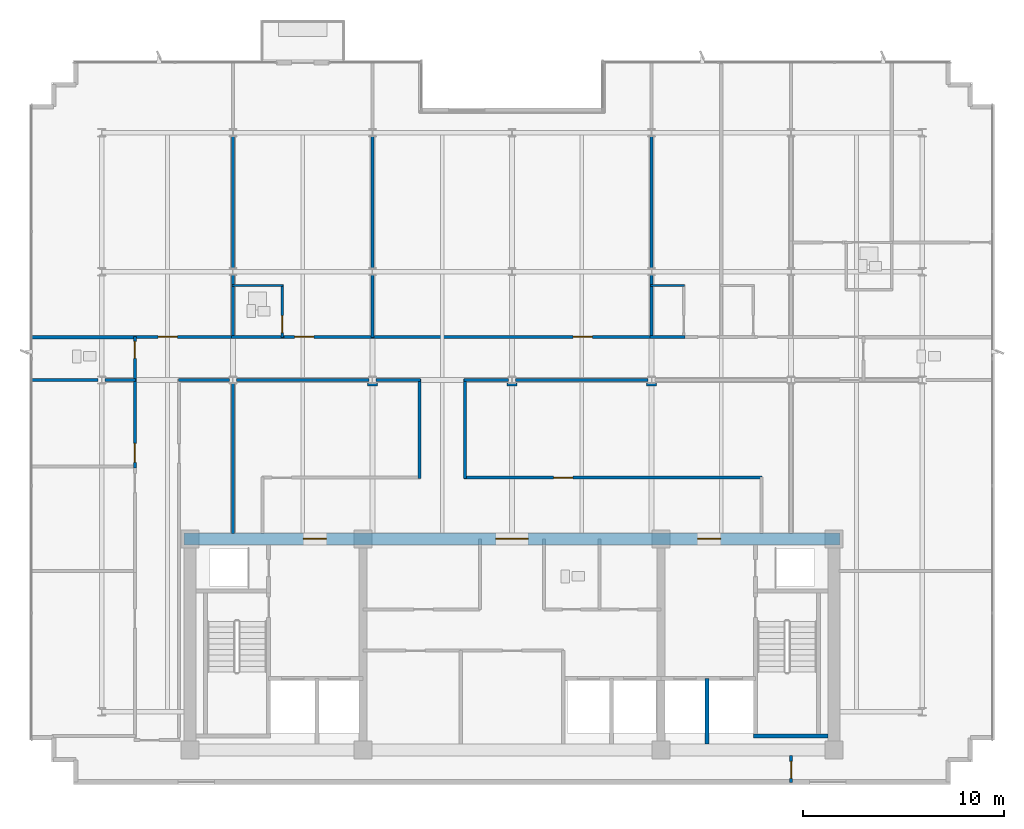
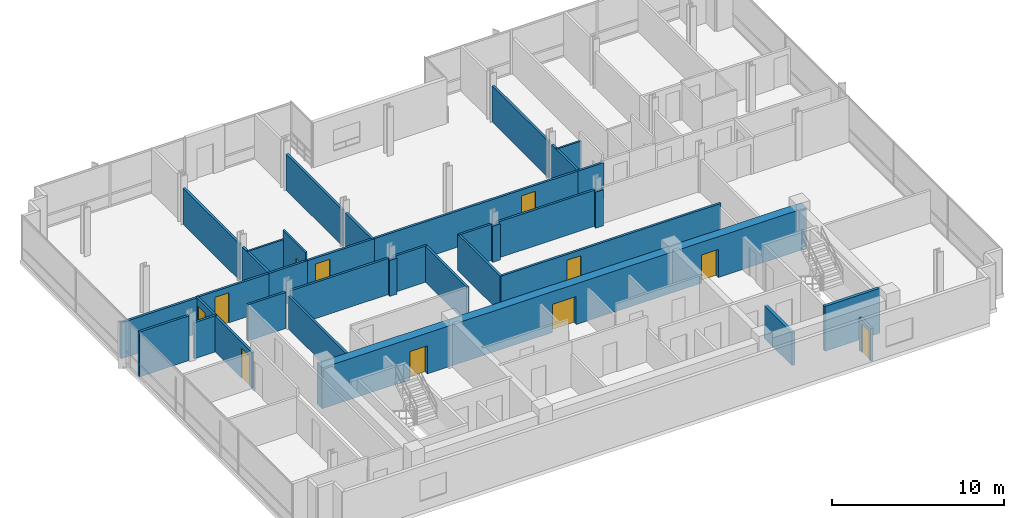
# One storey, part 12 of 17: 35 walls, 11 doors, 11 openings.
"""IFC4 building model written with IfcOpenShell, lengths in metres."""

from ifc_helpers import new_model, si_unit, direction, frame, frame_2d, origin, place, context, subcontext, project, spatial, rectangle, extrude, material, layer, layer_set, type_object, element, fill, save


model = new_model("IFC4")

# Units and contexts
model_context = context("Model", 3, precision=1e-05, world=origin(), true_north=direction((0.0, 1.0)))
body_context = subcontext(model_context, "Body", "Model", "MODEL_VIEW")
ifc_project = project(units=[si_unit("LENGTHUNIT", "METRE"), si_unit("AREAUNIT", "SQUARE_METRE"), si_unit("VOLUMEUNIT", "CUBIC_METRE"), si_unit("PLANEANGLEUNIT", "RADIAN"), si_unit("MASSUNIT", "GRAM", prefix="KILO")], contexts=[model_context])

# Site, building, storey
site_placement = place(None, origin())
site = spatial("IfcSite", under=ifc_project, at=site_placement, CompositionType="ELEMENT")
building_placement = place(site_placement, origin())
building = spatial("IfcBuilding", under=site, at=building_placement, Name="Solmavex Isthmus Hotel", CompositionType="ELEMENT")
storey_placement = place(building_placement, frame((0.0, 0.0, 269.550048828125)))
storey = spatial("IfcBuildingStorey", under=building, at=storey_placement, Name="L73", CompositionType="ELEMENT", Elevation=269.550048828125)

# Walls
ifc_material_1 = material(Name="Gypsum plasterboard lining", Category="gypsum")
ifc_layer_1 = layer(ifc_material_1, 0.159912109375)
ifc_layer_set_1 = layer_set([ifc_layer_1], Name="Gypsum plasterboard lining")
wall_type_1 = type_object("IfcWallType", Name="IW-COMP-160", PredefinedType="PARTITIONING", material=ifc_layer_set_1)
wall_1_placement = place(storey_placement, frame((-13.8720703125, 10.613037109375, 0.0), z_axis=(0.0, 0.0, 1.0), x_axis=(0.0, -1.0, 0.0)))
element("IfcWall", 1, at=wall_1_placement, inside=storey, type_object=wall_type_1, Name="Interior Partition Wall W-L73-P033", PredefinedType="PARTITIONING", context=body_context, shape_type="SweptSolid", body=[
    extrude(rectangle(XDim=3.10302734375, YDim=0.159912109375, at=frame_2d((1.551513671875, 0.0))), origin(), (0.0, 0.0, 1.0), 2.572265625),
])
wall_2_placement = place(storey_placement, frame((-13.8720703125, 17.52490234375, 0.0), z_axis=(0.0, 0.0, 1.0), x_axis=(0.0, -1.0, 0.0)))
element("IfcWall", 2, at=wall_2_placement, inside=storey, type_object=wall_type_1, Name="Interior Partition Wall W-L73-P034", PredefinedType="PARTITIONING", context=body_context, shape_type="SweptSolid", body=[
    extrude(rectangle(XDim=6.56201171875, YDim=0.159912109375, at=frame_2d((3.281005859375, 0.0))), origin(), (0.0, 0.0, 1.0), 2.572265625),
])
wall_3_placement = place(storey_placement, frame((-18.7099609375, 7.530029296875, 0.0), z_axis=(0.0, 0.0, 1.0), x_axis=(-1.0, 0.0, 0.0)))
element("IfcWall", 3, at=wall_3_placement, inside=storey, type_object=wall_type_1, Name="Interior Partition Wall W-L73-P036", PredefinedType="PARTITIONING", context=body_context, shape_type="SweptSolid", body=[
    extrude(rectangle(XDim=5.2099609375, YDim=0.159912109375, at=frame_2d((2.60498046875, 0.0))), origin(), (0.0, 0.0, 1.0), 2.557373046875),
])
wall_4_placement = place(storey_placement, frame((-6.93603515625, 10.613037109375, 0.0), z_axis=(0.0, 0.0, 1.0), x_axis=(0.0, -1.0, 0.0)))
element("IfcWall", 4, at=wall_4_placement, inside=storey, type_object=wall_type_1, Name="Interior Partition Wall W-L73-P039", PredefinedType="PARTITIONING", context=body_context, shape_type="SweptSolid", body=[
    extrude(rectangle(XDim=3.10302734375, YDim=0.159912109375, at=frame_2d((1.551513671875, 0.0))), origin(), (0.0, 0.0, 1.0), 2.572265625),
])
wall_5_placement = place(storey_placement, frame((-6.93603515625, 17.52490234375, 0.0), z_axis=(0.0, 0.0, 1.0), x_axis=(0.0, -1.0, 0.0)))
element("IfcWall", 5, at=wall_5_placement, inside=storey, type_object=wall_type_1, Name="Interior Partition Wall W-L73-P040", PredefinedType="PARTITIONING", context=body_context, shape_type="SweptSolid", body=[
    extrude(rectangle(XDim=6.56201171875, YDim=0.159912109375, at=frame_2d((3.281005859375, 0.0))), origin(), (0.0, 0.0, 1.0), 2.572265625),
])
wall_6_placement = place(storey_placement, frame((6.93603515625, 10.613037109375, 0.0), z_axis=(0.0, 0.0, 1.0), x_axis=(0.0, -1.0, 0.0)))
element("IfcWall", 6, at=wall_6_placement, inside=storey, type_object=wall_type_1, Name="Interior Partition Wall W-L73-P042", PredefinedType="PARTITIONING", context=body_context, shape_type="SweptSolid", body=[
    extrude(rectangle(XDim=3.10302734375, YDim=0.159912109375, at=frame_2d((1.551513671875, 0.0))), origin(), (0.0, 0.0, 1.0), 2.572265625),
])
wall_7_placement = place(storey_placement, frame((6.93603515625, 17.52490234375, 0.0), z_axis=(0.0, 0.0, 1.0), x_axis=(0.0, -1.0, 0.0)))
element("IfcWall", 7, at=wall_7_placement, inside=storey, type_object=wall_type_1, Name="Interior Partition Wall W-L73-P043", PredefinedType="PARTITIONING", context=body_context, shape_type="SweptSolid", body=[
    extrude(rectangle(XDim=6.56201171875, YDim=0.159912109375, at=frame_2d((3.281005859375, 0.0))), origin(), (0.0, 0.0, 1.0), 2.572265625),
])
wall_8_placement = place(storey_placement, frame((-20.574951171875, 5.39990234375, 0.0), z_axis=(0.0, 0.0, 1.0), x_axis=(-1.0, 0.0, 0.0)))
element("IfcWall", 8, at=wall_8_placement, inside=storey, type_object=wall_type_1, Name="Interior Partition Wall W-L73-P063", PredefinedType="PARTITIONING", context=body_context, shape_type="SweptSolid", body=[
    extrude(rectangle(XDim=3.344970703125, YDim=0.159912109375, at=frame_2d((1.67236328125, 0.0))), origin(), (0.0, 0.0, 1.0), 3.18994140625),
])
wall_9_placement = place(storey_placement, frame((-18.7099609375, 5.39990234375, 0.0), z_axis=(0.0, 0.0, 1.0), x_axis=(-1.0, 0.0, 0.0)))
element("IfcWall", 9, at=wall_9_placement, inside=storey, type_object=wall_type_1, Name="Interior Partition Wall W-L73-P064", PredefinedType="PARTITIONING", context=body_context, shape_type="SweptSolid", body=[
    extrude(rectangle(XDim=1.51513671875, YDim=0.159912109375, at=frame_2d((0.757568359375, 0.0))), origin(), (0.0, 0.0, 1.0), 2.572265625),
])
wall_10_placement = place(storey_placement, frame((-13.8720703125, 5.22509765625, 0.0), z_axis=(0.0, 0.0, 1.0), x_axis=(0.0, -1.0, 0.0)))
element("IfcWall", 10, at=wall_10_placement, inside=storey, type_object=wall_type_1, Name="Interior Partition Wall W-L73-P068", PredefinedType="PARTITIONING", context=body_context, shape_type="SweptSolid", body=[
    extrude(rectangle(XDim=7.465087890625, YDim=0.159912109375, at=frame_2d((3.732421875, 0.0))), origin(), (0.0, 0.0, 1.0), 2.324951171875),
])

# Wall, opening, door
wall_11_placement = place(storey_placement, frame((13.8720703125, -13.260009765625, 0.0), z_axis=(0.0, 0.0, 1.0), x_axis=(0.0, -1.0, 0.0)))
wall_11 = element("IfcWall", 11, at=wall_11_placement, inside=storey, type_object=wall_type_1, Name="Interior Partition Wall W-L73-P071", PredefinedType="PARTITIONING", context=body_context, shape_type="SweptSolid", body=[
    extrude(rectangle(XDim=1.360107421875, YDim=0.159912109375, at=frame_2d((0.68017578125, 0.0))), origin(), (0.0, 0.0, 1.0), 2.324951171875),
])
opening_1_placement = place(wall_11_placement, frame((0.300048828125, 0.0, 0.0)))
opening_1 = element("IfcOpeningElement", 12, at=opening_1_placement, cuts=wall_11, Name="Opening ID-R085", PredefinedType="OPENING", context=body_context, shape_type="SweptSolid", body=[
    extrude(rectangle(XDim=0.85009765625, YDim=2.050048828125, at=frame_2d((0.425048828125, 1.02490234375))), frame((0.0, 0.08984375, 0.0), z_axis=(0.0, -1.0, 0.0), x_axis=(1.0, 0.0, 0.0)), (0.0, 0.0, 1.0), 0.179931640625),
])
ifc_material_2 = material(Name="Steel ASTM A500 Grade C", Category="steel")
door_type_1 = type_object("IfcDoorType", Name="IDR-FD60-0850", OperationType="NOTDEFINED", PredefinedType="DOOR", material=ifc_material_2)
door_1_placement = place(opening_1_placement, frame((0.85009765625, 0.0, 0.0), z_axis=(0.0, 0.0, 1.0), x_axis=(-1.0, 0.0, 0.0)))
door_1 = element("IfcDoor", 13, at=door_1_placement, inside=storey, type_object=door_type_1, Name="Corporate Briefing Office Door L73-21", OperationType="SINGLE_SWING_LEFT", OverallHeight=2.050048828125, OverallWidth=0.85009765625, PredefinedType="DOOR", context=body_context, shape_type="SweptSolid", body=[
    extrude(rectangle(XDim=0.85009765625, YDim=2.050048828125, at=frame_2d((0.425048828125, 1.02490234375))), frame((0.0, 0.02490234375, 0.0), z_axis=(0.0, -1.0, 0.0), x_axis=(1.0, 0.0, 0.0)), (0.0, 0.0, 1.0), 0.050048828125),
])
fill(opening_1, door_1)

ifc_layer_2 = layer(ifc_material_1, 0.14990234375)
ifc_layer_set_2 = layer_set([ifc_layer_2], Name="Gypsum plasterboard lining")
wall_type_2 = type_object("IfcWallType", Name="IW-CORR-150", PredefinedType="PARTITIONING", material=ifc_layer_set_2)
wall_12_placement = place(storey_placement, frame((-18.7900390625, 7.550048828125, 0.0), z_axis=(0.0, 0.0, 1.0), x_axis=(1.0, 0.0, 0.0)))
wall_12 = element("IfcWall", 14, at=wall_12_placement, inside=storey, type_object=wall_type_2, Name="Interior Partition Wall W-L73-P001", PredefinedType="PARTITIONING", context=body_context, shape_type="SweptSolid", body=[
    extrude(rectangle(XDim=5.0, YDim=0.14990234375, at=frame_2d((2.5, 0.0))), origin(), (0.0, 0.0, 1.0), 2.572265625),
])
opening_2_placement = place(wall_12_placement, frame((1.198486328125, 0.0, 0.0)))
opening_2 = element("IfcOpeningElement", 15, at=opening_2_placement, cuts=wall_12, Name="Opening ID-C095", PredefinedType="OPENING", context=body_context, shape_type="SweptSolid", body=[
    extrude(rectangle(XDim=0.949951171875, YDim=2.14990234375, at=frame_2d((0.47509765625, 1.074951171875))), frame((0.0, 0.0849609375, 0.0), z_axis=(0.0, -1.0, 0.0), x_axis=(1.0, 0.0, 0.0)), (0.0, 0.0, 1.0), 0.169921875),
])
ifc_material_3 = material(Name="Hardwood timber", Category="wood")
door_type_2 = type_object("IfcDoorType", Name="IDR-FD60-0950", OperationType="NOTDEFINED", PredefinedType="DOOR", material=ifc_material_3)
door_2_placement = place(opening_2_placement, origin())
door_2 = element("IfcDoor", 16, at=door_2_placement, inside=storey, type_object=door_type_2, Name="Executive Hospitality Lounge Door L73-01", OperationType="SINGLE_SWING_LEFT", OverallHeight=2.14990234375, OverallWidth=0.949951171875, PredefinedType="DOOR", context=body_context, shape_type="SweptSolid", body=[
    extrude(rectangle(XDim=0.949951171875, YDim=2.14990234375, at=frame_2d((0.47509765625, 1.074951171875))), frame((0.0, 0.02490234375, 0.0), z_axis=(0.0, -1.0, 0.0), x_axis=(1.0, 0.0, 0.0)), (0.0, 0.0, 1.0), 0.050048828125),
])
fill(opening_2, door_2)

wall_13_placement = place(storey_placement, frame((-11.50390625, 7.550048828125, 0.0), z_axis=(0.0, 0.0, 1.0), x_axis=(1.0, 0.0, 0.0)))
wall_13 = element("IfcWall", 17, at=wall_13_placement, inside=storey, type_object=wall_type_2, Name="Interior Partition Wall W-L73-P002", PredefinedType="PARTITIONING", context=body_context, shape_type="SweptSolid", body=[
    extrude(rectangle(XDim=4.64990234375, YDim=0.14990234375, at=frame_2d((2.324951171875, 0.0))), origin(), (0.0, 0.0, 1.0), 2.572265625),
])
opening_3_placement = place(wall_13_placement, frame((0.698486328125, 0.0, 0.0)))
opening_3 = element("IfcOpeningElement", 18, at=opening_3_placement, cuts=wall_13, Name="Opening ID-C095", PredefinedType="OPENING", context=body_context, shape_type="SweptSolid", body=[
    extrude(rectangle(XDim=0.949951171875, YDim=2.14990234375, at=frame_2d((0.47509765625, 1.074951171875))), frame((0.0, 0.0849609375, 0.0), z_axis=(0.0, -1.0, 0.0), x_axis=(1.0, 0.0, 0.0)), (0.0, 0.0, 1.0), 0.169921875),
])
door_3_placement = place(opening_3_placement, origin())
door_3 = element("IfcDoor", 19, at=door_3_placement, inside=storey, type_object=door_type_2, Name="Crown Overlook Suite Door L73-02", OperationType="SINGLE_SWING_RIGHT", OverallHeight=2.14990234375, OverallWidth=0.949951171875, PredefinedType="DOOR", context=body_context, shape_type="SweptSolid", body=[
    extrude(rectangle(XDim=0.949951171875, YDim=2.14990234375, at=frame_2d((0.47509765625, 1.074951171875))), frame((0.0, 0.02490234375, 0.0), z_axis=(0.0, -1.0, 0.0), x_axis=(1.0, 0.0, 0.0)), (0.0, 0.0, 1.0), 0.050048828125),
])
fill(opening_3, door_3)

# Wall
wall_14_placement = place(storey_placement, frame((-13.9541015625, 7.550048828125, 0.0), z_axis=(0.0, 0.0, 1.0), x_axis=(1.0, 0.0, 0.0)))
element("IfcWall", 20, at=wall_14_placement, inside=storey, type_object=wall_type_2, Name="Interior Partition Wall W-L73-P003", PredefinedType="PARTITIONING", context=body_context, shape_type="SweptSolid", body=[
    extrude(rectangle(XDim=2.614013671875, YDim=0.14990234375, at=frame_2d((1.30712890625, 0.0))), origin(), (0.0, 0.0, 1.0), 2.572265625),
])

# Wall, opening, door
wall_15_placement = place(storey_placement, frame((-7.01806640625, 7.550048828125, 0.0), z_axis=(0.0, 0.0, 1.0), x_axis=(1.0, 0.0, 0.0)))
wall_15 = element("IfcWall", 21, at=wall_15_placement, inside=storey, type_object=wall_type_2, Name="Interior Partition Wall W-L73-P004", PredefinedType="PARTITIONING", context=body_context, shape_type="SweptSolid", body=[
    extrude(rectangle(XDim=14.0361328125, YDim=0.14990234375, at=frame_2d((7.01806640625, 0.0))), origin(), (0.0, 0.0, 1.0), 2.572265625),
])
opening_4_placement = place(wall_15_placement, frame((10.059814453125, 0.0, 0.0)))
opening_4 = element("IfcOpeningElement", 22, at=opening_4_placement, cuts=wall_15, Name="Opening ID-C095", PredefinedType="OPENING", context=body_context, shape_type="SweptSolid", body=[
    extrude(rectangle(XDim=0.949951171875, YDim=2.14990234375, at=frame_2d((0.47509765625, 1.074951171875))), frame((0.0, 0.0849609375, 0.0), z_axis=(0.0, -1.0, 0.0), x_axis=(1.0, 0.0, 0.0)), (0.0, 0.0, 1.0), 0.169921875),
])
door_4_placement = place(opening_4_placement, origin())
door_4 = element("IfcDoor", 23, at=door_4_placement, inside=storey, type_object=door_type_2, Name="Corporate Briefing Office Door L73-04", OperationType="SINGLE_SWING_RIGHT", OverallHeight=2.14990234375, OverallWidth=0.949951171875, PredefinedType="DOOR", context=body_context, shape_type="SweptSolid", body=[
    extrude(rectangle(XDim=0.949951171875, YDim=2.14990234375, at=frame_2d((0.47509765625, 1.074951171875))), frame((0.0, 0.02490234375, 0.0), z_axis=(0.0, -1.0, 0.0), x_axis=(1.0, 0.0, 0.0)), (0.0, 0.0, 1.0), 0.050048828125),
])
fill(opening_4, door_4)

# Wall
wall_16_placement = place(storey_placement, frame((6.85400390625, 7.550048828125, 0.0), z_axis=(0.0, 0.0, 1.0), x_axis=(1.0, 0.0, 0.0)))
element("IfcWall", 24, at=wall_16_placement, inside=storey, type_object=wall_type_2, Name="Interior Partition Wall W-L73-P006", PredefinedType="PARTITIONING", context=body_context, shape_type="SweptSolid", body=[
    extrude(rectangle(XDim=1.75927734375, YDim=0.14990234375, at=frame_2d((0.879638671875, 0.0))), origin(), (0.0, 0.0, 1.0), 2.572265625),
])

# Wall, opening, door
wall_17_placement = place(storey_placement, frame((-18.75, 5.318115234375, 0.0), z_axis=(0.0, 0.0, 1.0), x_axis=(0.0, 1.0, 0.0)))
wall_17 = element("IfcWall", 25, at=wall_17_placement, inside=storey, type_object=wall_type_2, Name="Interior Partition Wall W-L73-P010", PredefinedType="PARTITIONING", context=body_context, shape_type="SweptSolid", body=[
    extrude(rectangle(XDim=2.251953125, YDim=0.14990234375, at=frame_2d((1.1259765625, 0.0))), origin(), (0.0, 0.0, 1.0), 2.572265625),
])
opening_5_placement = place(wall_17_placement, frame((1.156982421875, 0.0, 0.0)))
opening_5 = element("IfcOpeningElement", 26, at=opening_5_placement, cuts=wall_17, Name="Opening ID-R085", PredefinedType="OPENING", context=body_context, shape_type="SweptSolid", body=[
    extrude(rectangle(XDim=0.85009765625, YDim=2.050048828125, at=frame_2d((0.425048828125, 1.02490234375))), frame((0.0, 0.0849609375, 0.0), z_axis=(0.0, -1.0, 0.0), x_axis=(1.0, 0.0, 0.0)), (0.0, 0.0, 1.0), 0.169921875),
])
door_5_placement = place(opening_5_placement, frame((0.85009765625, 0.0, 0.0), z_axis=(0.0, 0.0, 1.0), x_axis=(-1.0, 0.0, 0.0)))
door_5 = element("IfcDoor", 27, at=door_5_placement, inside=storey, type_object=door_type_1, Name="Accessible Public Restroom WC Door L73-13", OperationType="SINGLE_SWING_LEFT", OverallHeight=2.050048828125, OverallWidth=0.85009765625, PredefinedType="DOOR", context=body_context, shape_type="SweptSolid", body=[
    extrude(rectangle(XDim=0.85009765625, YDim=2.050048828125, at=frame_2d((0.425048828125, 1.02490234375))), frame((0.0, 0.02490234375, 0.0), z_axis=(0.0, -1.0, 0.0), x_axis=(1.0, 0.0, 0.0)), (0.0, 0.0, 1.0), 0.050048828125),
])
fill(opening_5, door_5)

wall_18_placement = place(storey_placement, frame((-18.75, 1.01806640625, 0.0), z_axis=(0.0, 0.0, 1.0), x_axis=(0.0, 1.0, 0.0)))
wall_18 = element("IfcWall", 28, at=wall_18_placement, inside=storey, type_object=wall_type_2, Name="Interior Partition Wall W-L73-P012", PredefinedType="PARTITIONING", context=body_context, shape_type="SweptSolid", body=[
    extrude(rectangle(XDim=4.4638671875, YDim=0.14990234375, at=frame_2d((2.23193359375, 0.0))), origin(), (0.0, 0.0, 1.0), 2.572265625),
])
opening_6_placement = place(wall_18_placement, frame((0.283935546875, 0.0, 0.0)))
opening_6 = element("IfcOpeningElement", 29, at=opening_6_placement, cuts=wall_18, Name="Opening ID-C095", PredefinedType="OPENING", context=body_context, shape_type="SweptSolid", body=[
    extrude(rectangle(XDim=0.949951171875, YDim=2.14990234375, at=frame_2d((0.47509765625, 1.074951171875))), frame((0.0, 0.0849609375, 0.0), z_axis=(0.0, -1.0, 0.0), x_axis=(1.0, 0.0, 0.0)), (0.0, 0.0, 1.0), 0.169921875),
])
door_6_placement = place(opening_6_placement, frame((0.949951171875, 0.0, 0.0), z_axis=(0.0, 0.0, 1.0), x_axis=(-1.0, 0.0, 0.0)))
door_6 = element("IfcDoor", 30, at=door_6_placement, inside=storey, type_object=door_type_2, Name="Reading Library Door L73-15", OperationType="SINGLE_SWING_LEFT", OverallHeight=2.14990234375, OverallWidth=0.949951171875, PredefinedType="DOOR", context=body_context, shape_type="SweptSolid", body=[
    extrude(rectangle(XDim=0.949951171875, YDim=2.14990234375, at=frame_2d((0.47509765625, 1.074951171875))), frame((0.0, 0.02490234375, 0.0), z_axis=(0.0, -1.0, 0.0), x_axis=(1.0, 0.0, 0.0)), (0.0, 0.0, 1.0), 0.050048828125),
])
fill(opening_6, door_6)

# Walls
wall_19_placement = place(storey_placement, frame((-14.047119140625, 5.39990234375, 0.0), z_axis=(0.0, 0.0, 1.0), x_axis=(-1.0, 0.0, 0.0)))
element("IfcWall", 31, at=wall_19_placement, inside=storey, type_object=wall_type_2, Name="Interior Partition Wall W-L73-P013", PredefinedType="PARTITIONING", context=body_context, shape_type="SweptSolid", body=[
    extrude(rectangle(XDim=2.54296875, YDim=0.14990234375, at=frame_2d((1.271484375, 0.0))), origin(), (0.0, 0.0, 1.0), 2.572265625),
])
wall_20_placement = place(storey_placement, frame((-4.587890625, 0.510009765625, 0.0), z_axis=(0.0, 0.0, 1.0), x_axis=(0.0, 1.0, 0.0)))
element("IfcWall", 32, at=wall_20_placement, inside=storey, type_object=wall_type_2, Name="Interior Partition Wall W-L73-P019", PredefinedType="PARTITIONING", context=body_context, shape_type="SweptSolid", body=[
    extrude(rectangle(XDim=4.929931640625, YDim=0.14990234375, at=frame_2d((2.46484375, 0.0))), origin(), (0.0, 0.0, 1.0), 2.572265625),
])
wall_21_placement = place(storey_placement, frame((-4.548095703125, 5.39990234375, 0.0), z_axis=(0.0, 0.0, 1.0), x_axis=(-1.0, 0.0, 0.0)))
element("IfcWall", 33, at=wall_21_placement, inside=storey, type_object=wall_type_2, Name="Interior Partition Wall W-L73-P020", PredefinedType="PARTITIONING", context=body_context, shape_type="SweptSolid", body=[
    extrude(rectangle(XDim=2.212890625, YDim=0.14990234375, at=frame_2d((1.1064453125, 0.0))), origin(), (0.0, 0.0, 1.0), 2.572265625),
])
wall_22_placement = place(storey_placement, frame((-6.680908203125, 5.18505859375, 0.0), z_axis=(0.0, 0.0, 1.0), x_axis=(-1.0, 0.0, 0.0)))
element("IfcWall", 34, at=wall_22_placement, inside=storey, type_object=wall_type_2, Name="Interior Partition Wall W-L73-P021", PredefinedType="PARTITIONING", context=body_context, shape_type="SweptSolid", body=[
    extrude(rectangle(XDim=0.510009765625, YDim=0.14990234375, at=frame_2d((0.2548828125, 0.0))), origin(), (0.0, 0.0, 1.0), 2.572265625),
])
wall_23_placement = place(storey_placement, frame((-7.111083984375, 5.39990234375, 0.0), z_axis=(0.0, 0.0, 1.0), x_axis=(-1.0, 0.0, 0.0)))
element("IfcWall", 35, at=wall_23_placement, inside=storey, type_object=wall_type_2, Name="Interior Partition Wall W-L73-P022", PredefinedType="PARTITIONING", context=body_context, shape_type="SweptSolid", body=[
    extrude(rectangle(XDim=6.5859375, YDim=0.14990234375, at=frame_2d((3.29296875, 0.0))), origin(), (0.0, 0.0, 1.0), 2.572265625),
])
wall_24_placement = place(storey_placement, frame((7.19091796875, 5.18505859375, 0.0), z_axis=(0.0, 0.0, 1.0), x_axis=(-1.0, 0.0, 0.0)))
element("IfcWall", 36, at=wall_24_placement, inside=storey, type_object=wall_type_2, Name="Interior Partition Wall W-L73-P025", PredefinedType="PARTITIONING", context=body_context, shape_type="SweptSolid", body=[
    extrude(rectangle(XDim=0.510009765625, YDim=0.14990234375, at=frame_2d((0.2548828125, 0.0))), origin(), (0.0, 0.0, 1.0), 2.572265625),
])
wall_25_placement = place(storey_placement, frame((6.760986328125, 5.39990234375, 0.0), z_axis=(0.0, 0.0, 1.0), x_axis=(-1.0, 0.0, 0.0)))
element("IfcWall", 37, at=wall_25_placement, inside=storey, type_object=wall_type_2, Name="Interior Partition Wall W-L73-P026", PredefinedType="PARTITIONING", context=body_context, shape_type="SweptSolid", body=[
    extrude(rectangle(XDim=6.5859375, YDim=0.14990234375, at=frame_2d((3.29296875, 0.0))), origin(), (0.0, 0.0, 1.0), 2.572265625),
])
wall_26_placement = place(storey_placement, frame((0.2548828125, 5.18505859375, 0.0), z_axis=(0.0, 0.0, 1.0), x_axis=(-1.0, 0.0, 0.0)))
element("IfcWall", 38, at=wall_26_placement, inside=storey, type_object=wall_type_2, Name="Interior Partition Wall W-L73-P027", PredefinedType="PARTITIONING", context=body_context, shape_type="SweptSolid", body=[
    extrude(rectangle(XDim=0.509765625, YDim=0.14990234375, at=frame_2d((0.2548828125, 0.0))), origin(), (0.0, 0.0, 1.0), 2.572265625),
])
wall_27_placement = place(storey_placement, frame((-0.175048828125, 5.39990234375, 0.0), z_axis=(0.0, 0.0, 1.0), x_axis=(-1.0, 0.0, 0.0)))
element("IfcWall", 39, at=wall_27_placement, inside=storey, type_object=wall_type_2, Name="Interior Partition Wall W-L73-P028", PredefinedType="PARTITIONING", context=body_context, shape_type="SweptSolid", body=[
    extrude(rectangle(XDim=2.212890625, YDim=0.14990234375, at=frame_2d((1.1064453125, 0.0))), origin(), (0.0, 0.0, 1.0), 2.572265625),
])
wall_28_placement = place(storey_placement, frame((-2.347900390625, 5.43994140625, 0.0), z_axis=(0.0, 0.0, 1.0), x_axis=(0.0, -1.0, 0.0)))
element("IfcWall", 40, at=wall_28_placement, inside=storey, type_object=wall_type_2, Name="Interior Partition Wall W-L73-P029", PredefinedType="PARTITIONING", context=body_context, shape_type="SweptSolid", body=[
    extrude(rectangle(XDim=4.929931640625, YDim=0.14990234375, at=frame_2d((2.46484375, 0.0))), origin(), (0.0, 0.0, 1.0), 2.572265625),
])

# Wall, opening, door
wall_29_placement = place(storey_placement, frame((-2.387939453125, 0.550048828125, 0.0), z_axis=(0.0, 0.0, 1.0), x_axis=(1.0, 0.0, 0.0)))
wall_29 = element("IfcWall", 41, at=wall_29_placement, inside=storey, type_object=wall_type_2, Name="Interior Partition Wall W-L73-P030", PredefinedType="PARTITIONING", context=body_context, shape_type="SweptSolid", body=[
    extrude(rectangle(XDim=14.827880859375, YDim=0.14990234375, at=frame_2d((7.4140625, 0.0))), origin(), (0.0, 0.0, 1.0), 2.572265625),
])
opening_7_placement = place(wall_29_placement, frame((4.461181640625, 0.0, 0.0)))
opening_7 = element("IfcOpeningElement", 42, at=opening_7_placement, cuts=wall_29, Name="Opening ID-C095", PredefinedType="OPENING", context=body_context, shape_type="SweptSolid", body=[
    extrude(rectangle(XDim=0.949951171875, YDim=2.14990234375, at=frame_2d((0.47509765625, 1.074951171875))), frame((0.0, 0.0849609375, 0.0), z_axis=(0.0, -1.0, 0.0), x_axis=(1.0, 0.0, 0.0)), (0.0, 0.0, 1.0), 0.169921875),
])
door_7_placement = place(opening_7_placement, frame((0.949951171875, 0.0, 0.0), z_axis=(0.0, 0.0, 1.0), x_axis=(-1.0, 0.0, 0.0)))
door_7 = element("IfcDoor", 43, at=door_7_placement, inside=storey, type_object=door_type_2, Name="Reading Library Door L73-22", OperationType="SINGLE_SWING_RIGHT", OverallHeight=2.14990234375, OverallWidth=0.949951171875, PredefinedType="DOOR", context=body_context, shape_type="SweptSolid", body=[
    extrude(rectangle(XDim=0.949951171875, YDim=2.14990234375, at=frame_2d((0.47509765625, 1.074951171875))), frame((0.0, 0.02490234375, 0.0), z_axis=(0.0, -1.0, 0.0), x_axis=(1.0, 0.0, 0.0)), (0.0, 0.0, 1.0), 0.050048828125),
])
fill(opening_7, door_7)

ifc_layer_3 = layer(ifc_material_1, 0.1201171875)
ifc_layer_set_3 = layer_set([ifc_layer_3], Name="Gypsum plasterboard lining")
wall_type_3 = type_object("IfcWallType", Name="IW-PART-120", PredefinedType="PARTITIONING", material=ifc_layer_set_3)
wall_30_placement = place(storey_placement, frame((-11.422119140625, 7.510009765625, 0.0), z_axis=(0.0, 0.0, 1.0), x_axis=(0.0, 1.0, 0.0)))
wall_30 = element("IfcWall", 44, at=wall_30_placement, inside=storey, type_object=wall_type_3, Name="Interior Partition Wall W-L73-P037", PredefinedType="PARTITIONING", context=body_context, shape_type="SweptSolid", body=[
    extrude(rectangle(XDim=2.6298828125, YDim=0.1201171875, at=frame_2d((1.31494140625, 0.0))), origin(), (0.0, 0.0, 1.0), 3.18994140625),
])
opening_8_placement = place(wall_30_placement, frame((0.247314453125, 0.0, 0.0)))
opening_8 = element("IfcOpeningElement", 45, at=opening_8_placement, cuts=wall_30, Name="Opening ID-U085", PredefinedType="OPENING", context=body_context, shape_type="SweptSolid", body=[
    extrude(rectangle(XDim=0.85009765625, YDim=2.10009765625, at=frame_2d((0.425048828125, 1.050048828125))), frame((0.0, 0.070068359375, 0.0), z_axis=(0.0, -1.0, 0.0), x_axis=(1.0, 0.0, 0.0)), (0.0, 0.0, 1.0), 0.14013671875),
])
door_type_3 = type_object("IfcDoorType", Name="IDR-UNR-0850", OperationType="NOTDEFINED", PredefinedType="DOOR", material=ifc_material_3)
door_8_placement = place(opening_8_placement, frame((0.85009765625, 0.0, 0.0), z_axis=(0.0, 0.0, 1.0), x_axis=(-1.0, 0.0, 0.0)))
door_8 = element("IfcDoor", 46, at=door_8_placement, inside=storey, type_object=door_type_3, Name="En-suite Bathroom Door L73-03", OperationType="SINGLE_SWING_LEFT", OverallHeight=2.10009765625, OverallWidth=0.85009765625, PredefinedType="DOOR", context=body_context, shape_type="SweptSolid", body=[
    extrude(rectangle(XDim=0.85009765625, YDim=2.10009765625, at=frame_2d((0.425048828125, 1.050048828125))), frame((0.0, 0.02490234375, 0.0), z_axis=(0.0, -1.0, 0.0), x_axis=(1.0, 0.0, 0.0)), (0.0, 0.0, 1.0), 0.050048828125),
])
fill(opening_8, door_8)

# Walls
wall_31_placement = place(storey_placement, frame((-11.382080078125, 10.10009765625, 0.0), z_axis=(0.0, 0.0, 1.0), x_axis=(-1.0, 0.0, 0.0)))
element("IfcWall", 47, at=wall_31_placement, inside=storey, type_object=wall_type_3, Name="Interior Partition Wall W-L73-P038", PredefinedType="PARTITIONING", context=body_context, shape_type="SweptSolid", body=[
    extrude(rectangle(XDim=2.530029296875, YDim=0.1201171875, at=frame_2d((1.26513671875, 0.0))), origin(), (0.0, 0.0, 1.0), 2.572265625),
])
wall_32_placement = place(storey_placement, frame((8.5712890625, 10.10009765625, 0.0), z_axis=(0.0, 0.0, 1.0), x_axis=(-1.0, 0.0, 0.0)))
element("IfcWall", 48, at=wall_32_placement, inside=storey, type_object=wall_type_3, Name="Interior Partition Wall W-L73-P046", PredefinedType="PARTITIONING", context=body_context, shape_type="SweptSolid", body=[
    extrude(rectangle(XDim=1.67529296875, YDim=0.1201171875, at=frame_2d((0.837646484375, 0.0))), origin(), (0.0, 0.0, 1.0), 2.572265625),
])
ifc_material_4 = material(Name="Concrete C40/50", Category="concrete")
ifc_layer_4 = layer(ifc_material_4, 0.199951171875)
ifc_layer_set_4 = layer_set([ifc_layer_4], Name="Concrete C40/50")
wall_type_4 = type_object("IfcWallType", Name="IW-SHAFT-200", PredefinedType="PARTITIONING", material=ifc_layer_set_4)
wall_33_placement = place(storey_placement, frame((9.699951171875, -12.699951171875, 0.0), z_axis=(0.0, 0.0, 1.0), x_axis=(0.0, 1.0, 0.0)))
element("IfcWall", 49, at=wall_33_placement, inside=storey, type_object=wall_type_4, Name="Interior Partition Wall W-L73-FFLE-M", PredefinedType="PARTITIONING", context=body_context, shape_type="SweptSolid", body=[
    extrude(rectangle(XDim=3.25, YDim=0.199951171875, at=frame_2d((1.625, 0.0))), origin(), (0.0, 0.0, 1.0), 2.324951171875),
])

# Wall, openings, doors
ifc_material_5 = material(Name="Concrete C50/60", Category="concrete")
ifc_layer_5 = layer(ifc_material_5, 0.60009765625)
ifc_layer_set_5 = layer_set([ifc_layer_5], Name="Concrete C50/60")
wall_type_5 = type_object("IfcWallType", Name="WALL-CW-600", PredefinedType="SHEAR", material=ifc_layer_set_5)
wall_34_placement = place(storey_placement, frame((-16.300048828125, -2.5, 0.0), z_axis=(0.0, 0.0, 1.0), x_axis=(1.0, 0.0, 0.0)))
wall_34 = element("IfcWall", 50, at=wall_34_placement, inside=storey, type_object=wall_type_5, Name="Core Shear Wall North L73", PredefinedType="SHEAR", context=body_context, shape_type="SweptSolid", body=[
    extrude(rectangle(XDim=32.60009765625, YDim=0.60009765625, at=frame_2d((16.300048828125, 0.0))), origin(), (0.0, 0.0, 1.0), 2.909912109375),
])
opening_9_placement = place(wall_34_placement, frame((5.925048828125, 0.0, 0.0)))
opening_9 = element("IfcOpeningElement", 51, at=opening_9_placement, cuts=wall_34, Name="Opening ID-F915", PredefinedType="OPENING", context=body_context, shape_type="SweptSolid", body=[
    extrude(rectangle(XDim=1.14990234375, YDim=2.0, at=frame_2d((0.574951171875, 1.0))), frame((0.0, 0.31005859375, 0.0), z_axis=(0.0, -1.0, 0.0), x_axis=(1.0, 0.0, 0.0)), (0.0, 0.0, 1.0), 0.6201171875),
])
opening_10_placement = place(wall_34_placement, frame((15.5, 0.0, 0.0)))
opening_10 = element("IfcOpeningElement", 52, at=opening_10_placement, cuts=wall_34, Name="Opening ID-F960", PredefinedType="OPENING", context=body_context, shape_type="SweptSolid", body=[
    extrude(rectangle(XDim=1.60009765625, YDim=2.0, at=frame_2d((0.800048828125, 1.0))), frame((0.0, 0.31005859375, 0.0), z_axis=(0.0, -1.0, 0.0), x_axis=(1.0, 0.0, 0.0)), (0.0, 0.0, 1.0), 0.6201171875),
])
opening_11_placement = place(wall_34_placement, frame((25.52490234375, 0.0, 0.0)))
opening_11 = element("IfcOpeningElement", 53, at=opening_11_placement, cuts=wall_34, Name="Opening ID-F915", PredefinedType="OPENING", context=body_context, shape_type="SweptSolid", body=[
    extrude(rectangle(XDim=1.14990234375, YDim=2.0, at=frame_2d((0.574951171875, 1.0))), frame((0.0, 0.31005859375, 0.0), z_axis=(0.0, -1.0, 0.0), x_axis=(1.0, 0.0, 0.0)), (0.0, 0.0, 1.0), 0.6201171875),
])
door_type_4 = type_object("IfcDoorType", Name="IDR-FD90-1150C", OperationType="NOTDEFINED", PredefinedType="DOOR", material=ifc_material_2)
door_9_placement = place(opening_9_placement, origin())
door_9 = element("IfcDoor", 54, at=door_9_placement, inside=storey, type_object=door_type_4, Name="Firefighting Lobby West Exit Door L73", OperationType="SINGLE_SWING_LEFT", OverallHeight=2.0, OverallWidth=1.14990234375, PredefinedType="DOOR", context=body_context, shape_type="SweptSolid", body=[
    extrude(rectangle(XDim=1.14990234375, YDim=2.0, at=frame_2d((0.574951171875, 1.0))), frame((0.0, 0.02490234375, 0.0), z_axis=(0.0, -1.0, 0.0), x_axis=(1.0, 0.0, 0.0)), (0.0, 0.0, 1.0), 0.050048828125),
])
fill(opening_9, door_9)
door_10_placement = place(opening_11_placement, origin())
door_10 = element("IfcDoor", 55, at=door_10_placement, inside=storey, type_object=door_type_4, Name="Firefighting Lobby East Exit Door L73", OperationType="SINGLE_SWING_RIGHT", OverallHeight=2.0, OverallWidth=1.14990234375, PredefinedType="DOOR", context=body_context, shape_type="SweptSolid", body=[
    extrude(rectangle(XDim=1.14990234375, YDim=2.0, at=frame_2d((0.574951171875, 1.0))), frame((0.0, 0.02490234375, 0.0), z_axis=(0.0, -1.0, 0.0), x_axis=(1.0, 0.0, 0.0)), (0.0, 0.0, 1.0), 0.050048828125),
])
fill(opening_11, door_10)
door_type_5 = type_object("IfcDoorType", Name="IDR-FD90-1600C", OperationType="NOTDEFINED", PredefinedType="DOOR", material=ifc_material_2)
door_11_placement = place(opening_10_placement, origin())
door_11 = element("IfcDoor", 56, at=door_11_placement, inside=storey, type_object=door_type_5, Name="Central Lift Lobby Door L73", OperationType="DOUBLE_DOOR_SINGLE_SWING", OverallHeight=2.0, OverallWidth=1.60009765625, PredefinedType="DOOR", context=body_context, shape_type="SweptSolid", body=[
    extrude(rectangle(XDim=1.60009765625, YDim=2.0, at=frame_2d((0.800048828125, 1.0))), frame((0.0, 0.02490234375, 0.0), z_axis=(0.0, -1.0, 0.0), x_axis=(1.0, 0.0, 0.0)), (0.0, 0.0, 1.0), 0.050048828125),
])
fill(opening_10, door_11)

# Wall
ifc_layer_6 = layer(ifc_material_4, 0.199951171875)
ifc_layer_set_6 = layer_set([ifc_layer_6], Name="Concrete C40/50")
wall_type_6 = type_object("IfcWallType", Name="WALL-SW-200", PredefinedType="SOLIDWALL", material=ifc_layer_set_6)
wall_35_placement = place(storey_placement, frame((12.0, -12.300048828125, 0.0), z_axis=(0.0, 0.0, 1.0), x_axis=(1.0, 0.0, 0.0)))
element("IfcWall", 57, at=wall_35_placement, inside=storey, type_object=wall_type_6, Name="Stairwell Structural Wall SW-L73-ST2-S", PredefinedType="SOLIDWALL", context=body_context, shape_type="SweptSolid", body=[
    extrude(rectangle(XDim=3.699951171875, YDim=0.199951171875, at=frame_2d((1.85009765625, 0.0))), origin(), (0.0, 0.0, 1.0), 3.18994140625),
])

save(model, "model.ifc")
